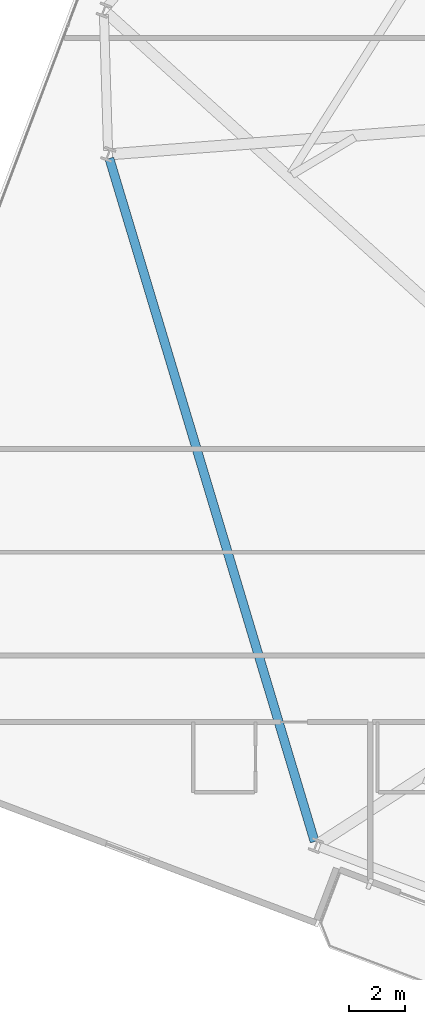
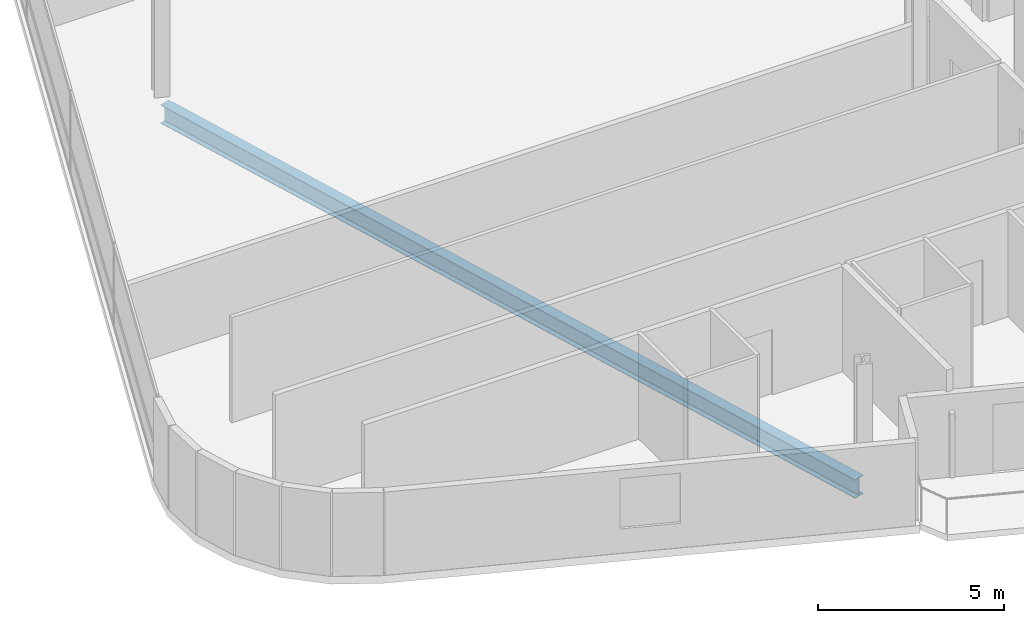
# One storey, part 5 of 25: 1 beam.
"""IFC4 building model written with IfcOpenShell, lengths in metres."""

from ifc_helpers import new_model, si_unit, direction, frame, origin, origin_2d, place, context, subcontext, project, spatial, i_section, extrude, material, material_profile, profile_set, type_object, element, save


model = new_model("IFC4")

# Units and contexts
model_context = context("Model", 3, precision=1e-05, world=origin(), true_north=direction((0.0, 1.0)))
body_context = subcontext(model_context, "Body", "Model", "MODEL_VIEW")
ifc_project = project(units=[si_unit("LENGTHUNIT", "METRE"), si_unit("AREAUNIT", "SQUARE_METRE"), si_unit("VOLUMEUNIT", "CUBIC_METRE"), si_unit("PLANEANGLEUNIT", "RADIAN"), si_unit("MASSUNIT", "GRAM", prefix="KILO")], contexts=[model_context])

# Site, building, storey
site_placement = place(None, origin())
site = spatial("IfcSite", under=ifc_project, at=site_placement, CompositionType="ELEMENT")
building_placement = place(site_placement, origin())
building = spatial("IfcBuilding", under=site, at=building_placement, Name="Varnelok Gate Tower", CompositionType="ELEMENT")
storey_placement = place(building_placement, frame((0.0, 0.0, 83.60009765625)))
storey = spatial("IfcBuildingStorey", under=building, at=storey_placement, Name="L20", CompositionType="ELEMENT", Elevation=83.60009765625)

# Beam
ifc_material = material(Name="Structural Steel ASTM A992 Grade 50", Category="steel")
ifc_material_profile = material_profile(ifc_material, i_section(OverallWidth=0.323974609375, OverallDepth=0.611083984375, WebThickness=0.0126953125, FlangeThickness=0.01904296875, FilletRadius=0.01806640625, at=origin_2d()), Name="W24X104")
ifc_profile_set = profile_set([ifc_material_profile], Name="Structural Steel ASTM A992 Grade 50")
beam_type = type_object("IfcBeamType", Name="BM-SPN-W24X104", PredefinedType="SPANDREL", material=ifc_profile_set)
beam_placement = place(storey_placement, frame((7.124267578125, 37.102294921875, -0.5556640625), z_axis=(0.287734186054, -0.957710310154, 0.0), x_axis=(0.957710310154, 0.287734186054, 0.0)))
element("IfcBeam", 1, at=beam_placement, inside=storey, type_object=beam_type, Name="L20 Perimeter Spandrel Beam 16", PredefinedType="SPANDREL", context=body_context, shape_type="SweptSolid", body=[
    extrude(i_section(OverallWidth=0.323974609375, OverallDepth=0.611083984375, WebThickness=0.0126953125, FlangeThickness=0.01904296875, FilletRadius=0.01806640625, at=origin_2d()), origin(), (0.0, 0.0, 1.0), 25.626220703125),
])

save(model, "model.ifc")
